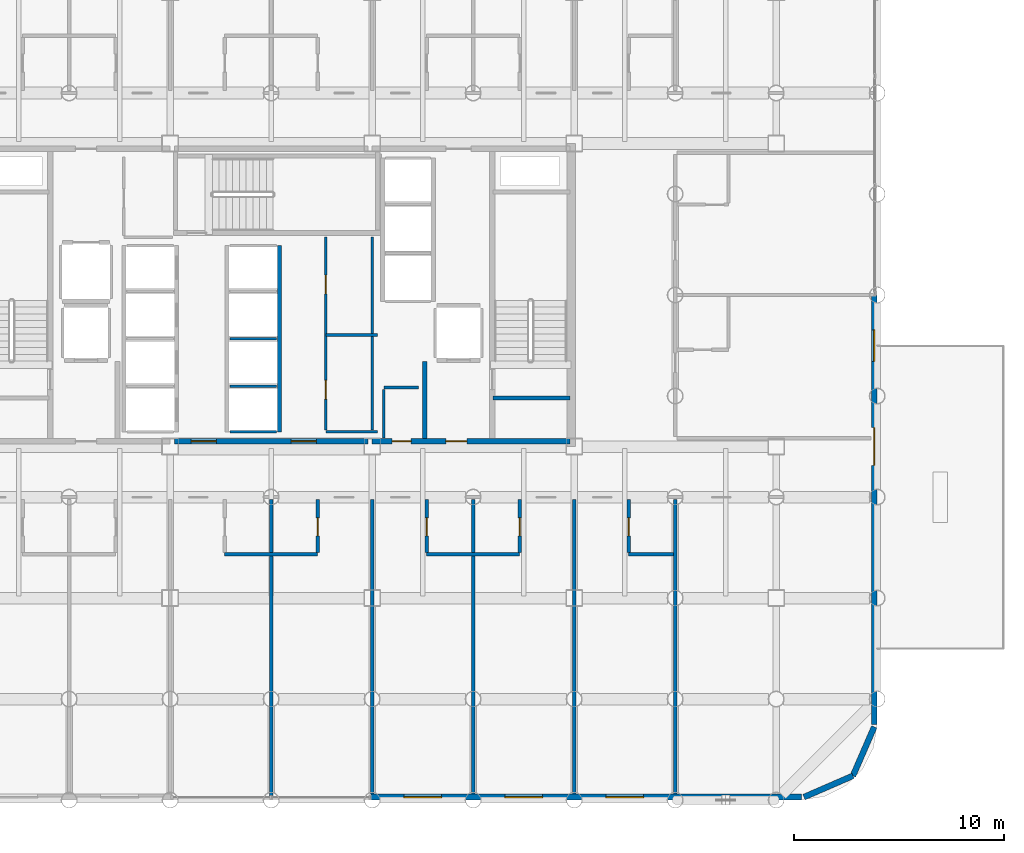
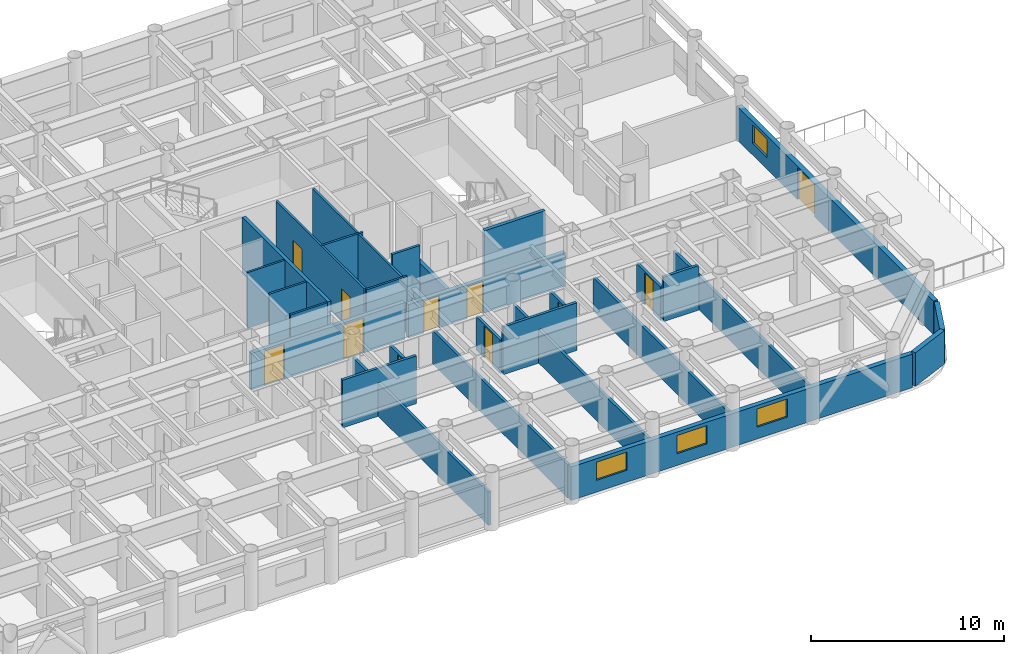
# One storey, part 19 of 24: 30 walls, 11 doors, 4 windows, 15 openings.
"""IFC4 building model written with IfcOpenShell, lengths in metres."""

from ifc_helpers import new_model, si_unit, direction, frame, frame_2d, origin, place, context, subcontext, project, spatial, rectangle, extrude, material, layer, layer_set, type_object, element, fill, save


model = new_model("IFC4")

# Units and contexts
model_context = context("Model", 3, precision=1e-05, world=origin(), true_north=direction((0.0, 1.0)))
body_context = subcontext(model_context, "Body", "Model", "MODEL_VIEW")
ifc_project = project(units=[si_unit("LENGTHUNIT", "METRE"), si_unit("AREAUNIT", "SQUARE_METRE"), si_unit("VOLUMEUNIT", "CUBIC_METRE"), si_unit("PLANEANGLEUNIT", "RADIAN"), si_unit("MASSUNIT", "GRAM", prefix="KILO")], contexts=[model_context])

# Site, building, storey
site_placement = place(None, origin())
site = spatial("IfcSite", under=ifc_project, at=site_placement, CompositionType="ELEMENT")
building_placement = place(site_placement, origin())
building = spatial("IfcBuilding", under=site, at=building_placement, Name="Kallvorn Hotel Tower", CompositionType="ELEMENT")
storey_placement = place(building_placement, frame((0.0, 0.0, 30.0)))
storey = spatial("IfcBuildingStorey", under=building, at=storey_placement, Name="L05", CompositionType="ELEMENT", Elevation=30.0)

# Walls
ifc_material_1 = material(Name="Fire-rated double-layer acoustic gypsum drywall EI 60")
ifc_layer_1 = layer(ifc_material_1, 0.159912109375)
ifc_layer_set_1 = layer_set([ifc_layer_1], Name="WL_DEMISE_160")
wall_type_1 = type_object("IfcWallType", Name="WL_DEMISE_160", PredefinedType="PARTITIONING", material=ifc_layer_set_1)
wall_1_placement = place(storey_placement, frame((-2.2099609375, -12.320068359375, 0.0), z_axis=(0.0, 0.0, 1.0), x_axis=(1.0, 0.0, 0.0)))
element("IfcWall", 1, at=wall_1_placement, inside=storey, type_object=wall_type_1, Name="L05 Suite 509 Superior Twin Room Partition", PredefinedType="PARTITIONING", context=body_context, shape_type="SweptSolid", body=[
    extrude(rectangle(XDim=4.419921875, YDim=0.159912109375, at=frame_2d((2.2099609375, 0.0))), origin(), (0.0, 0.0, 1.0), 3.02001953125),
])
wall_2_placement = place(storey_placement, frame((7.389892578125, -12.320068359375, 0.0), z_axis=(0.0, 0.0, 1.0), x_axis=(1.0, 0.0, 0.0)))
element("IfcWall", 2, at=wall_2_placement, inside=storey, type_object=wall_type_1, Name="L05 Suite 511 Superior Twin Room Partition", PredefinedType="PARTITIONING", context=body_context, shape_type="SweptSolid", body=[
    extrude(rectangle(XDim=4.420166015625, YDim=0.159912109375, at=frame_2d((2.2099609375, 0.0))), origin(), (0.0, 0.0, 1.0), 3.02001953125),
])
wall_3_placement = place(storey_placement, frame((16.989990234375, -12.320068359375, 0.0), z_axis=(0.0, 0.0, 1.0), x_axis=(1.0, 0.0, 0.0)))
element("IfcWall", 3, at=wall_3_placement, inside=storey, type_object=wall_type_1, Name="L05 Suite 513 Superior Twin Room Partition", PredefinedType="PARTITIONING", context=body_context, shape_type="SweptSolid", body=[
    extrude(rectangle(XDim=2.130126953125, YDim=0.159912109375, at=frame_2d((1.06494140625, 0.0))), origin(), (0.0, 0.0, 1.0), 2.820068359375),
])
wall_4_placement = place(storey_placement, frame((0.0, -23.794921875, 0.0), z_axis=(0.0, 0.0, 1.0), x_axis=(0.0, 1.0, 0.0)))
element("IfcWall", 4, at=wall_4_placement, inside=storey, type_object=wall_type_1, Name="L05 Suite 509 Superior Twin Room Partition", PredefinedType="PARTITIONING", context=body_context, shape_type="SweptSolid", body=[
    extrude(rectangle(XDim=14.074951171875, YDim=0.159912109375, at=frame_2d((7.03759765625, 0.0))), origin(), (0.0, 0.0, 1.0), 2.1201171875),
])

# Wall, opening, door
wall_5_placement = place(storey_placement, frame((2.2099609375, -12.235107421875, 0.0), z_axis=(0.0, 0.0, 1.0), x_axis=(0.0, 1.0, 0.0)))
wall_5 = element("IfcWall", 5, at=wall_5_placement, inside=storey, type_object=wall_type_1, Name="L05 Suite 510 Superior Twin Room Partition", PredefinedType="PARTITIONING", context=body_context, shape_type="SweptSolid", body=[
    extrude(rectangle(XDim=2.51513671875, YDim=0.159912109375, at=frame_2d((1.257568359375, 0.0))), origin(), (0.0, 0.0, 1.0), 2.1201171875),
])
opening_1_placement = place(wall_5_placement, frame((0.784912109375, 0.0, 0.0)))
opening_1 = element("IfcOpeningElement", 6, at=opening_1_placement, cuts=wall_5, Name="Opening BD-IA", PredefinedType="OPENING", context=body_context, shape_type="SweptSolid", body=[
    extrude(rectangle(XDim=0.860107421875, YDim=2.02001953125, at=frame_2d((0.43017578125, 1.010009765625))), frame((0.0, 0.094970703125, 0.0), z_axis=(0.0, -1.0, 0.0), x_axis=(1.0, 0.0, 0.0)), (0.0, 0.0, 1.0), 0.18994140625),
])
ifc_material_2 = material(Name="Solid-core walnut veneer fire-rated timber door leaf", Category="wood")
door_type_1 = type_object("IfcDoorType", Name="DR_BATH_860x2020", OperationType="NOTDEFINED", PredefinedType="DOOR", material=ifc_material_2)
door_1_placement = place(opening_1_placement, origin())
door_1 = element("IfcDoor", 7, at=door_1_placement, inside=storey, type_object=door_type_1, Name="L05 Suite 510 En-Suite Bathroom Door", OperationType="SINGLE_SWING_LEFT", OverallHeight=2.02001953125, OverallWidth=0.860107421875, PredefinedType="DOOR", context=body_context, shape_type="SweptSolid", body=[
    extrude(rectangle(XDim=0.860107421875, YDim=2.02001953125, at=frame_2d((0.43017578125, 1.010009765625))), frame((0.0, 0.02490234375, 0.0), z_axis=(0.0, -1.0, 0.0), x_axis=(1.0, 0.0, 0.0)), (0.0, 0.0, 1.0), 0.050048828125),
])
fill(opening_1, door_1)

# Wall
wall_6_placement = place(storey_placement, frame((4.800048828125, -23.7099609375, 0.0), z_axis=(0.0, 0.0, 1.0), x_axis=(0.0, 1.0, 0.0)))
element("IfcWall", 8, at=wall_6_placement, inside=storey, type_object=wall_type_1, Name="L05 Suite 510 Superior Twin Room Partition", PredefinedType="PARTITIONING", context=body_context, shape_type="SweptSolid", body=[
    extrude(rectangle(XDim=13.989990234375, YDim=0.159912109375, at=frame_2d((6.9951171875, 0.0))), origin(), (0.0, 0.0, 1.0), 2.1201171875),
])

# Wall, opening, door
wall_7_placement = place(storey_placement, frame((7.389892578125, -12.235107421875, 0.0), z_axis=(0.0, 0.0, 1.0), x_axis=(0.0, 1.0, 0.0)))
wall_7 = element("IfcWall", 9, at=wall_7_placement, inside=storey, type_object=wall_type_1, Name="L05 Suite 511 Superior Twin Room Partition", PredefinedType="PARTITIONING", context=body_context, shape_type="SweptSolid", body=[
    extrude(rectangle(XDim=2.51513671875, YDim=0.159912109375, at=frame_2d((1.257568359375, 0.0))), origin(), (0.0, 0.0, 1.0), 2.1201171875),
])
opening_2_placement = place(wall_7_placement, frame((0.784912109375, 0.0, 0.0)))
opening_2 = element("IfcOpeningElement", 10, at=opening_2_placement, cuts=wall_7, Name="Opening BD-IA", PredefinedType="OPENING", context=body_context, shape_type="SweptSolid", body=[
    extrude(rectangle(XDim=0.860107421875, YDim=2.02001953125, at=frame_2d((0.43017578125, 1.010009765625))), frame((0.0, 0.094970703125, 0.0), z_axis=(0.0, -1.0, 0.0), x_axis=(1.0, 0.0, 0.0)), (0.0, 0.0, 1.0), 0.18994140625),
])
door_2_placement = place(opening_2_placement, origin())
door_2 = element("IfcDoor", 11, at=door_2_placement, inside=storey, type_object=door_type_1, Name="L05 Suite 511 En-Suite Bathroom Door", OperationType="SINGLE_SWING_LEFT", OverallHeight=2.02001953125, OverallWidth=0.860107421875, PredefinedType="DOOR", context=body_context, shape_type="SweptSolid", body=[
    extrude(rectangle(XDim=0.860107421875, YDim=2.02001953125, at=frame_2d((0.43017578125, 1.010009765625))), frame((0.0, 0.02490234375, 0.0), z_axis=(0.0, -1.0, 0.0), x_axis=(1.0, 0.0, 0.0)), (0.0, 0.0, 1.0), 0.050048828125),
])
fill(opening_2, door_2)

# Wall
wall_8_placement = place(storey_placement, frame((9.60009765625, -23.7099609375, 0.0), z_axis=(0.0, 0.0, 1.0), x_axis=(0.0, 1.0, 0.0)))
element("IfcWall", 12, at=wall_8_placement, inside=storey, type_object=wall_type_1, Name="L05 Suite 511 Superior Twin Room Partition", PredefinedType="PARTITIONING", context=body_context, shape_type="SweptSolid", body=[
    extrude(rectangle(XDim=13.989990234375, YDim=0.159912109375, at=frame_2d((6.9951171875, 0.0))), origin(), (0.0, 0.0, 1.0), 2.1201171875),
])

# Wall, opening, door
wall_9_placement = place(storey_placement, frame((11.81005859375, -12.235107421875, 0.0), z_axis=(0.0, 0.0, 1.0), x_axis=(0.0, 1.0, 0.0)))
wall_9 = element("IfcWall", 13, at=wall_9_placement, inside=storey, type_object=wall_type_1, Name="L05 Suite 512 Superior Twin Room Partition", PredefinedType="PARTITIONING", context=body_context, shape_type="SweptSolid", body=[
    extrude(rectangle(XDim=2.51513671875, YDim=0.159912109375, at=frame_2d((1.257568359375, 0.0))), origin(), (0.0, 0.0, 1.0), 2.1201171875),
])
opening_3_placement = place(wall_9_placement, frame((0.784912109375, 0.0, 0.0)))
opening_3 = element("IfcOpeningElement", 14, at=opening_3_placement, cuts=wall_9, Name="Opening BD-IA", PredefinedType="OPENING", context=body_context, shape_type="SweptSolid", body=[
    extrude(rectangle(XDim=0.860107421875, YDim=2.02001953125, at=frame_2d((0.43017578125, 1.010009765625))), frame((0.0, 0.094970703125, 0.0), z_axis=(0.0, -1.0, 0.0), x_axis=(1.0, 0.0, 0.0)), (0.0, 0.0, 1.0), 0.18994140625),
])
door_3_placement = place(opening_3_placement, origin())
door_3 = element("IfcDoor", 15, at=door_3_placement, inside=storey, type_object=door_type_1, Name="L05 Suite 512 En-Suite Bathroom Door", OperationType="SINGLE_SWING_LEFT", OverallHeight=2.02001953125, OverallWidth=0.860107421875, PredefinedType="DOOR", context=body_context, shape_type="SweptSolid", body=[
    extrude(rectangle(XDim=0.860107421875, YDim=2.02001953125, at=frame_2d((0.43017578125, 1.010009765625))), frame((0.0, 0.02490234375, 0.0), z_axis=(0.0, -1.0, 0.0), x_axis=(1.0, 0.0, 0.0)), (0.0, 0.0, 1.0), 0.050048828125),
])
fill(opening_3, door_3)

# Wall
wall_10_placement = place(storey_placement, frame((14.39990234375, -23.7099609375, 0.0), z_axis=(0.0, 0.0, 1.0), x_axis=(0.0, 1.0, 0.0)))
element("IfcWall", 16, at=wall_10_placement, inside=storey, type_object=wall_type_1, Name="L05 Suite 512 Superior Twin Room Partition", PredefinedType="PARTITIONING", context=body_context, shape_type="SweptSolid", body=[
    extrude(rectangle(XDim=13.989990234375, YDim=0.159912109375, at=frame_2d((6.9951171875, 0.0))), origin(), (0.0, 0.0, 1.0), 2.1201171875),
])

# Wall, opening, door
wall_11_placement = place(storey_placement, frame((16.989990234375, -12.235107421875, 0.0), z_axis=(0.0, 0.0, 1.0), x_axis=(0.0, 1.0, 0.0)))
wall_11 = element("IfcWall", 17, at=wall_11_placement, inside=storey, type_object=wall_type_1, Name="L05 Suite 513 Superior Twin Room Partition", PredefinedType="PARTITIONING", context=body_context, shape_type="SweptSolid", body=[
    extrude(rectangle(XDim=2.51513671875, YDim=0.159912109375, at=frame_2d((1.257568359375, 0.0))), origin(), (0.0, 0.0, 1.0), 2.1201171875),
])
opening_4_placement = place(wall_11_placement, frame((0.784912109375, 0.0, 0.0)))
opening_4 = element("IfcOpeningElement", 18, at=opening_4_placement, cuts=wall_11, Name="Opening BD-IA", PredefinedType="OPENING", context=body_context, shape_type="SweptSolid", body=[
    extrude(rectangle(XDim=0.860107421875, YDim=2.02001953125, at=frame_2d((0.43017578125, 1.010009765625))), frame((0.0, 0.094970703125, 0.0), z_axis=(0.0, -1.0, 0.0), x_axis=(1.0, 0.0, 0.0)), (0.0, 0.0, 1.0), 0.18994140625),
])
door_4_placement = place(opening_4_placement, origin())
door_4 = element("IfcDoor", 19, at=door_4_placement, inside=storey, type_object=door_type_1, Name="L05 Suite 513 En-Suite Bathroom Door", OperationType="SINGLE_SWING_RIGHT", OverallHeight=2.02001953125, OverallWidth=0.860107421875, PredefinedType="DOOR", context=body_context, shape_type="SweptSolid", body=[
    extrude(rectangle(XDim=0.860107421875, YDim=2.02001953125, at=frame_2d((0.43017578125, 1.010009765625))), frame((0.0, 0.02490234375, 0.0), z_axis=(0.0, -1.0, 0.0), x_axis=(1.0, 0.0, 0.0)), (0.0, 0.0, 1.0), 0.050048828125),
])
fill(opening_4, door_4)

# Walls
wall_12_placement = place(storey_placement, frame((19.199951171875, -23.7099609375, 0.0), z_axis=(0.0, 0.0, 1.0), x_axis=(0.0, 1.0, 0.0)))
element("IfcWall", 20, at=wall_12_placement, inside=storey, type_object=wall_type_1, Name="L05 Suite 513 Superior Twin Room Partition", PredefinedType="PARTITIONING", context=body_context, shape_type="SweptSolid", body=[
    extrude(rectangle(XDim=13.989990234375, YDim=0.159912109375, at=frame_2d((6.9951171875, 0.0))), origin(), (0.0, 0.0, 1.0), 2.1201171875),
])
ifc_material_3 = material(Name="Precast basalt-clad insulated concrete wall C40/50", Category="masonry")
ifc_layer_2 = layer(ifc_material_3, 0.280029296875)
ifc_layer_set_2 = layer_set([ifc_layer_2], Name="WL_EXT_LOGGIA_280")
wall_type_2 = type_object("IfcWallType", Name="WL_EXT_LOGGIA_280", PredefinedType="SOLIDWALL", material=ifc_layer_set_2)
wall_13_placement = place(storey_placement, frame((25.32080078125, -23.85791015625, 0.0), z_axis=(0.0, 0.0, 1.0), x_axis=(0.917060872934, 0.398747232384, 0.0)))
element("IfcWall", 21, at=wall_13_placement, inside=storey, type_object=wall_type_2, Name="L05 Rounded Corner Exterior Wall SE1", PredefinedType="SOLIDWALL", context=body_context, shape_type="SweptSolid", body=[
    extrude(rectangle(XDim=2.5361328125, YDim=0.280029296875, at=frame_2d((1.26806640625, 0.0))), origin(), (0.0, 0.0, 1.0), 2.1201171875),
])
wall_14_placement = place(storey_placement, frame((27.646484375, -22.8466796875, 0.0), z_axis=(0.0, 0.0, 1.0), x_axis=(0.398792985289, 0.917040977756, 0.0)))
element("IfcWall", 22, at=wall_14_placement, inside=storey, type_object=wall_type_2, Name="L05 Rounded Corner Exterior Wall SE2", PredefinedType="SOLIDWALL", context=body_context, shape_type="SweptSolid", body=[
    extrude(rectangle(XDim=2.536376953125, YDim=0.280029296875, at=frame_2d((1.26806640625, 0.0))), origin(), (0.0, 0.0, 1.0), 2.1201171875),
])

# Wall, openings, windows
wall_15_placement = place(storey_placement, frame((4.75, -23.860107421875, 0.0), z_axis=(0.0, 0.0, 1.0), x_axis=(1.0, 0.0, 0.0)))
wall_15 = element("IfcWall", 23, at=wall_15_placement, inside=storey, type_object=wall_type_2, Name="L05 Exterior Envelope Wall EW-L05-SE", PredefinedType="SOLIDWALL", context=body_context, shape_type="SweptSolid", body=[
    extrude(rectangle(XDim=20.449951171875, YDim=0.280029296875, at=frame_2d((10.22509765625, 0.0))), origin(), (0.0, 0.0, 1.0), 2.1201171875),
])
opening_5_placement = place(wall_15_placement, frame((1.550048828125, 0.0, 0.75)))
opening_5 = element("IfcOpeningElement", 24, at=opening_5_placement, cuts=wall_15, Name="Opening W04A", PredefinedType="OPENING", context=body_context, shape_type="SweptSolid", body=[
    extrude(rectangle(XDim=1.800048828125, YDim=1.14990234375, at=frame_2d((0.89990234375, 0.574951171875))), frame((0.0, 0.155029296875, 0.0), z_axis=(0.0, -1.0, 0.0), x_axis=(1.0, 0.0, 0.0)), (0.0, 0.0, 1.0), 0.31005859375),
])
opening_6_placement = place(wall_15_placement, frame((6.35009765625, 0.0, 0.75)))
opening_6 = element("IfcOpeningElement", 25, at=opening_6_placement, cuts=wall_15, Name="Opening W04A", PredefinedType="OPENING", context=body_context, shape_type="SweptSolid", body=[
    extrude(rectangle(XDim=1.800048828125, YDim=1.14990234375, at=frame_2d((0.89990234375, 0.574951171875))), frame((0.0, 0.155029296875, 0.0), z_axis=(0.0, -1.0, 0.0), x_axis=(1.0, 0.0, 0.0)), (0.0, 0.0, 1.0), 0.31005859375),
])
opening_7_placement = place(wall_15_placement, frame((11.14990234375, 0.0, 0.75)))
opening_7 = element("IfcOpeningElement", 26, at=opening_7_placement, cuts=wall_15, Name="Opening W04A", PredefinedType="OPENING", context=body_context, shape_type="SweptSolid", body=[
    extrude(rectangle(XDim=1.800048828125, YDim=1.14990234375, at=frame_2d((0.89990234375, 0.574951171875))), frame((0.0, 0.155029296875, 0.0), z_axis=(0.0, -1.0, 0.0), x_axis=(1.0, 0.0, 0.0)), (0.0, 0.0, 1.0), 0.31005859375),
])
ifc_material_4 = material(Name="Double-glazed low-e solar-control dark glass", Category="glass")
window_type_1 = type_object("IfcWindowType", Name="WN_HTL_1800x1150", PartitioningType="SINGLE_PANEL", PredefinedType="WINDOW", material=ifc_material_4)
window_1_placement = place(opening_5_placement, origin())
window_1 = element("IfcWindow", 27, at=window_1_placement, inside=storey, type_object=window_type_1, Name="L05 Guestroom Exterior Window 07", OverallHeight=1.14990234375, OverallWidth=1.800048828125, PartitioningType="SINGLE_PANEL", PredefinedType="WINDOW", context=body_context, shape_type="SweptSolid", body=[
    extrude(rectangle(XDim=1.800048828125, YDim=1.14990234375, at=frame_2d((0.89990234375, 0.574951171875))), frame((0.0, 0.030029296875, 0.0), z_axis=(0.0, -1.0, 0.0), x_axis=(1.0, 0.0, 0.0)), (0.0, 0.0, 1.0), 0.06005859375),
])
fill(opening_5, window_1)
window_2_placement = place(opening_6_placement, origin())
window_2 = element("IfcWindow", 28, at=window_2_placement, inside=storey, type_object=window_type_1, Name="L05 Guestroom Exterior Window 08", OverallHeight=1.14990234375, OverallWidth=1.800048828125, PartitioningType="SINGLE_PANEL", PredefinedType="WINDOW", context=body_context, shape_type="SweptSolid", body=[
    extrude(rectangle(XDim=1.800048828125, YDim=1.14990234375, at=frame_2d((0.89990234375, 0.574951171875))), frame((0.0, 0.030029296875, 0.0), z_axis=(0.0, -1.0, 0.0), x_axis=(1.0, 0.0, 0.0)), (0.0, 0.0, 1.0), 0.06005859375),
])
fill(opening_6, window_2)
window_3_placement = place(opening_7_placement, origin())
window_3 = element("IfcWindow", 29, at=window_3_placement, inside=storey, type_object=window_type_1, Name="L05 Guestroom Exterior Window 09", OverallHeight=1.14990234375, OverallWidth=1.800048828125, PartitioningType="SINGLE_PANEL", PredefinedType="WINDOW", context=body_context, shape_type="SweptSolid", body=[
    extrude(rectangle(XDim=1.800048828125, YDim=1.14990234375, at=frame_2d((0.89990234375, 0.574951171875))), frame((0.0, 0.030029296875, 0.0), z_axis=(0.0, -1.0, 0.0), x_axis=(1.0, 0.0, 0.0)), (0.0, 0.0, 1.0), 0.06005859375),
])
fill(opening_7, window_3)

# Wall, openings, door, window
wall_16_placement = place(storey_placement, frame((28.659912109375, -20.39990234375, 0.0), z_axis=(0.0, 0.0, 1.0), x_axis=(0.0, 1.0, 0.0)))
wall_16 = element("IfcWall", 30, at=wall_16_placement, inside=storey, type_object=wall_type_2, Name="L05 Exterior Envelope Wall EW-L05-ES", PredefinedType="SOLIDWALL", context=body_context, shape_type="SweptSolid", body=[
    extrude(rectangle(XDim=20.3798828125, YDim=0.280029296875, at=frame_2d((10.18994140625, 0.0))), origin(), (0.0, 0.0, 1.0), 2.1201171875),
])
opening_8_placement = place(wall_16_placement, frame((12.300048828125, 0.0, 0.0)))
opening_8 = element("IfcOpeningElement", 31, at=opening_8_placement, cuts=wall_16, Name="Opening TD2A", PredefinedType="OPENING", context=body_context, shape_type="SweptSolid", body=[
    extrude(rectangle(XDim=1.800048828125, YDim=2.02001953125, at=frame_2d((0.89990234375, 1.010009765625))), frame((0.0, 0.155029296875, 0.0), z_axis=(0.0, -1.0, 0.0), x_axis=(1.0, 0.0, 0.0)), (0.0, 0.0, 1.0), 0.31005859375),
])
opening_9_placement = place(wall_16_placement, frame((17.25, 0.0, 0.75)))
opening_9 = element("IfcOpeningElement", 32, at=opening_9_placement, cuts=wall_16, Name="Opening W05A", PredefinedType="OPENING", context=body_context, shape_type="SweptSolid", body=[
    extrude(rectangle(XDim=1.5, YDim=1.14990234375, at=frame_2d((0.75, 0.574951171875))), frame((0.0, 0.155029296875, 0.0), z_axis=(0.0, -1.0, 0.0), x_axis=(1.0, 0.0, 0.0)), (0.0, 0.0, 1.0), 0.31005859375),
])
ifc_material_5 = material(Name="Double-glazed low-e solar-control dark glass", Category="glass")
door_type_2 = type_object("IfcDoorType", Name="DR_TERR_TOW_1800x2020", OperationType="DOUBLE_DOOR_SINGLE_SWING", PredefinedType="DOOR", material=ifc_material_5)
door_5_placement = place(opening_8_placement, origin())
door_5 = element("IfcDoor", 33, at=door_5_placement, inside=storey, type_object=door_type_2, Name="L05 Step-Off Terrace Glazed Door 1", OperationType="DOUBLE_DOOR_SINGLE_SWING", OverallHeight=2.02001953125, OverallWidth=1.800048828125, PredefinedType="DOOR", context=body_context, shape_type="SweptSolid", body=[
    extrude(rectangle(XDim=1.800048828125, YDim=2.02001953125, at=frame_2d((0.89990234375, 1.010009765625))), frame((0.0, 0.02490234375, 0.0), z_axis=(0.0, -1.0, 0.0), x_axis=(1.0, 0.0, 0.0)), (0.0, 0.0, 1.0), 0.050048828125),
])
fill(opening_8, door_5)
ifc_material_6 = material(Name="Double-glazed low-e solar-control dark glass", Category="glass")
window_type_2 = type_object("IfcWindowType", Name="WN_HTL_1500x1150", PartitioningType="SINGLE_PANEL", PredefinedType="WINDOW", material=ifc_material_6)
window_4_placement = place(opening_9_placement, origin())
window_4 = element("IfcWindow", 34, at=window_4_placement, inside=storey, type_object=window_type_2, Name="L05 Flank Wing Window 02", OverallHeight=1.14990234375, OverallWidth=1.5, PartitioningType="SINGLE_PANEL", PredefinedType="WINDOW", context=body_context, shape_type="SweptSolid", body=[
    extrude(rectangle(XDim=1.5, YDim=1.14990234375, at=frame_2d((0.75, 0.574951171875))), frame((0.0, 0.030029296875, 0.0), z_axis=(0.0, -1.0, 0.0), x_axis=(1.0, 0.0, 0.0)), (0.0, 0.0, 1.0), 0.06005859375),
])
fill(opening_9, window_4)

# Walls
ifc_material_7 = material(Name="Concrete C40/50", Category="concrete")
ifc_layer_3 = layer(ifc_material_7, 0.219970703125)
ifc_layer_set_3 = layer_set([ifc_layer_3], Name="WL_FFL_220")
wall_type_3 = type_object("IfcWallType", Name="WL_FFL_220", PredefinedType="SOLIDWALL", material=ifc_layer_set_3)
wall_17_placement = place(storey_placement, frame((7.300048828125, -6.820068359375, 0.0), z_axis=(0.0, 0.0, 1.0), x_axis=(0.0, 1.0, 0.0)))
element("IfcWall", 35, at=wall_17_placement, inside=storey, type_object=wall_type_3, Name="L05 Firefighting Lobby East Divider Wall", PredefinedType="SOLIDWALL", context=body_context, shape_type="SweptSolid", body=[
    extrude(rectangle(XDim=3.670166015625, YDim=0.219970703125, at=frame_2d((1.8349609375, 0.0))), origin(), (0.0, 0.0, 1.0), 2.1201171875),
])
ifc_material_8 = material(Name="Concrete C40/50", Category="concrete")
ifc_layer_4 = layer(ifc_material_8, 0.199951171875)
ifc_layer_set_4 = layer_set([ifc_layer_4], Name="WL_HOIST_200")
wall_type_4 = type_object("IfcWallType", Name="WL_HOIST_200", PredefinedType="SOLIDWALL", material=ifc_layer_set_4)
wall_18_placement = place(storey_placement, frame((10.550048828125, -4.89990234375, -0.179931640625), z_axis=(0.0, 0.0, 1.0), x_axis=(1.0, 0.0, 0.0)))
element("IfcWall", 36, at=wall_18_placement, inside=storey, type_object=wall_type_4, Name="L05 Stair ST2 South Wall", PredefinedType="SOLIDWALL", context=body_context, shape_type="SweptSolid", body=[
    extrude(rectangle(XDim=3.64990234375, YDim=0.199951171875, at=frame_2d((1.824951171875, 0.0))), origin(), (0.0, 0.0, 1.0), 3.699951171875),
])
wall_19_placement = place(storey_placement, frame((0.39990234375, -6.5, 0.0), z_axis=(0.0, 0.0, 1.0), x_axis=(0.0, 1.0, 0.0)))
element("IfcWall", 37, at=wall_19_placement, inside=storey, type_object=wall_type_4, Name="L05 Lift Bank B2 Rear Shaft Wall", PredefinedType="SOLIDWALL", context=body_context, shape_type="SweptSolid", body=[
    extrude(rectangle(XDim=8.85009765625, YDim=0.199951171875, at=frame_2d((4.425048828125, 0.0))), origin(), (0.0, 0.0, 1.0), 3.52001953125),
])
ifc_material_9 = material(Name="Fire-rated double-layer acoustic gypsum drywall EI 60")
ifc_layer_5 = layer(ifc_material_9, 0.1201171875)
ifc_layer_set_5 = layer_set([ifc_layer_5], Name="WL_INT_120")
wall_type_5 = type_object("IfcWallType", Name="WL_INT_120", PredefinedType="PARTITIONING", material=ifc_layer_set_5)
for number, where, z_axis, x_axis, name in (
    (38, (-1.9599609375, -6.5, 0.0), (0.0, 0.0, 1.0), (1.0, 0.0, 0.0), "L05 Lift Bank B2 South Closure Wall"),
    (39, (-1.9599609375, -4.324951171875, 0.0), (0.0, 0.0, 1.0), (1.0, 0.0, 0.0), "L05 PL-05 Hoistway Divider"),
    (40, (-1.9599609375, -2.074951171875, 0.0), (0.0, 0.0, 1.0), (1.0, 0.0, 0.0), "L05 PL-06 Hoistway Divider"),
):
    element("IfcWall", number, at=place(storey_placement, frame(where, z_axis=z_axis, x_axis=x_axis)), inside=storey, type_object=wall_type_5, Name=name, PredefinedType="PARTITIONING", context=body_context, shape_type="SweptSolid", body=[
        extrude(rectangle(XDim=2.219970703125, YDim=0.1201171875, at=frame_2d((1.10986328125, 0.0))), origin(), (0.0, 0.0, 1.0), 3.52001953125),
    ])
for number, where, z_axis, x_axis, name in (
    (41, (2.60009765625, -6.5, 0.0), (0.0, 0.0, 1.0), (1.0, 0.0, 0.0), "L05 East Core Amenities and Minibar Store Partition"),
    (42, (2.60009765625, -1.89990234375, 0.0), (0.0, 0.0, 1.0), (1.0, 0.0, 0.0), "L05 East Core Amenities and Minibar Store Partition"),
):
    element("IfcWall", number, at=place(storey_placement, frame(where, z_axis=z_axis, x_axis=x_axis)), inside=storey, type_object=wall_type_5, Name=name, PredefinedType="PARTITIONING", context=body_context, shape_type="SweptSolid", body=[
        extrude(rectangle(XDim=2.449951171875, YDim=0.1201171875, at=frame_2d((1.22509765625, 0.0))), origin(), (0.0, 0.0, 1.0), 3.52001953125),
    ])

# Wall, openings, doors
wall_20_placement = place(storey_placement, frame((2.60009765625, -6.4150390625, 0.0), z_axis=(0.0, 0.0, 1.0), x_axis=(0.0, 1.0, 0.0)))
wall_20 = element("IfcWall", 43, at=wall_20_placement, inside=storey, type_object=wall_type_5, Name="L05 East Core Amenities and Minibar Store Partition", PredefinedType="PARTITIONING", context=body_context, shape_type="SweptSolid", body=[
    extrude(rectangle(XDim=9.1650390625, YDim=0.1201171875, at=frame_2d((4.58251953125, 0.0))), origin(), (0.0, 0.0, 1.0), 3.52001953125),
])
opening_10_placement = place(wall_20_placement, frame((1.465087890625, 0.0, 0.0)))
opening_10 = element("IfcOpeningElement", 44, at=opening_10_placement, cuts=wall_20, Name="Opening SVD1", PredefinedType="OPENING", context=body_context, shape_type="SweptSolid", body=[
    extrude(rectangle(XDim=0.89990234375, YDim=2.10009765625, at=frame_2d((0.449951171875, 1.050048828125))), frame((0.0, 0.074951171875, 0.0), z_axis=(0.0, -1.0, 0.0), x_axis=(1.0, 0.0, 0.0)), (0.0, 0.0, 1.0), 0.150146484375),
])
opening_11_placement = place(wall_20_placement, frame((6.465087890625, 0.0, 0.0)))
opening_11 = element("IfcOpeningElement", 45, at=opening_11_placement, cuts=wall_20, Name="Opening SVD1", PredefinedType="OPENING", context=body_context, shape_type="SweptSolid", body=[
    extrude(rectangle(XDim=0.89990234375, YDim=2.10009765625, at=frame_2d((0.449951171875, 1.050048828125))), frame((0.0, 0.074951171875, 0.0), z_axis=(0.0, -1.0, 0.0), x_axis=(1.0, 0.0, 0.0)), (0.0, 0.0, 1.0), 0.150146484375),
])
ifc_material_10 = material(Name="Galvanised painted steel fire-rated door assembly", Category="steel")
door_type_3 = type_object("IfcDoorType", Name="DR_SERV_900x2100", OperationType="NOTDEFINED", PredefinedType="DOOR", material=ifc_material_10)
door_6_placement = place(opening_10_placement, origin())
door_6 = element("IfcDoor", 46, at=door_6_placement, inside=storey, type_object=door_type_3, Name="L05 East Core Amenities and Minibar Store Door", OperationType="SINGLE_SWING_RIGHT", OverallHeight=2.10009765625, OverallWidth=0.89990234375, PredefinedType="DOOR", context=body_context, shape_type="SweptSolid", body=[
    extrude(rectangle(XDim=0.89990234375, YDim=2.10009765625, at=frame_2d((0.449951171875, 1.050048828125))), frame((0.0, 0.02490234375, 0.0), z_axis=(0.0, -1.0, 0.0), x_axis=(1.0, 0.0, 0.0)), (0.0, 0.0, 1.0), 0.050048828125),
])
fill(opening_10, door_6)
door_7_placement = place(opening_11_placement, origin())
door_7 = element("IfcDoor", 47, at=door_7_placement, inside=storey, type_object=door_type_3, Name="L05 East Core Cleaners and Janitor Room Door", OperationType="SINGLE_SWING_LEFT", OverallHeight=2.10009765625, OverallWidth=0.89990234375, PredefinedType="DOOR", context=body_context, shape_type="SweptSolid", body=[
    extrude(rectangle(XDim=0.89990234375, YDim=2.10009765625, at=frame_2d((0.449951171875, 1.050048828125))), frame((0.0, 0.02490234375, 0.0), z_axis=(0.0, -1.0, 0.0), x_axis=(1.0, 0.0, 0.0)), (0.0, 0.0, 1.0), 0.050048828125),
])
fill(opening_11, door_7)

# Walls
wall_21_placement = place(storey_placement, frame((4.800048828125, -6.4150390625, 0.0), z_axis=(0.0, 0.0, 1.0), x_axis=(0.0, 1.0, 0.0)))
element("IfcWall", 48, at=wall_21_placement, inside=storey, type_object=wall_type_5, Name="L05 East Core Amenities and Minibar Store Partition", PredefinedType="PARTITIONING", context=body_context, shape_type="SweptSolid", body=[
    extrude(rectangle(XDim=9.1650390625, YDim=0.1201171875, at=frame_2d((4.58251953125, 0.0))), origin(), (0.0, 0.0, 1.0), 3.52001953125),
])
ifc_material_11 = material(Name="Moisture-resistant acoustic plumbing chase wall EI 60")
ifc_layer_6 = layer(ifc_material_11, 0.139892578125)
ifc_layer_set_6 = layer_set([ifc_layer_6], Name="WL_PLUMB_140")
wall_type_6 = type_object("IfcWallType", Name="WL_PLUMB_140", PredefinedType="PLUMBINGWALL", material=ifc_layer_set_6)
wall_22_placement = place(storey_placement, frame((5.35009765625, -4.39990234375, 0.0), z_axis=(0.0, 0.0, 1.0), x_axis=(1.0, 0.0, 0.0)))
element("IfcWall", 49, at=wall_22_placement, inside=storey, type_object=wall_type_6, Name="L05 Core Staff Restroom WC Partition", PredefinedType="PLUMBINGWALL", context=body_context, shape_type="SweptSolid", body=[
    extrude(rectangle(XDim=1.64990234375, YDim=0.139892578125, at=frame_2d((0.824951171875, 0.0))), origin(), (0.0, 0.0, 1.0), 3.52001953125),
])
wall_23_placement = place(storey_placement, frame((5.35009765625, -6.800048828125, 0.0), z_axis=(0.0, 0.0, 1.0), x_axis=(0.0, 1.0, 0.0)))
element("IfcWall", 50, at=wall_23_placement, inside=storey, type_object=wall_type_6, Name="L05 Core Staff Restroom WC Partition", PredefinedType="PLUMBINGWALL", context=body_context, shape_type="SweptSolid", body=[
    extrude(rectangle(XDim=2.31494140625, YDim=0.139892578125, at=frame_2d((1.157470703125, 0.0))), origin(), (0.0, 0.0, 1.0), 2.1201171875),
])

# Wall, openings, doors
ifc_material_12 = material(Name="Concrete C40/50", Category="concrete")
ifc_layer_7 = layer(ifc_material_12, 0.25)
ifc_layer_set_7 = layer_set([ifc_layer_7], Name="WL_SHAFT_250")
wall_type_7 = type_object("IfcWallType", Name="WL_SHAFT_250", PredefinedType="SOLIDWALL", material=ifc_layer_set_7)
wall_24_placement = place(storey_placement, frame((-4.60009765625, -6.949951171875, 0.0), z_axis=(0.0, 0.0, 1.0), x_axis=(1.0, 0.0, 0.0)))
wall_24 = element("IfcWall", 51, at=wall_24_placement, inside=storey, type_object=wall_type_7, Name="L05 Core South-Central Wall", PredefinedType="SOLIDWALL", context=body_context, shape_type="SweptSolid", body=[
    extrude(rectangle(XDim=9.2001953125, YDim=0.25, at=frame_2d((4.60009765625, 0.0))), origin(), (0.0, 0.0, 1.0), 2.320068359375),
])
opening_12_placement = place(wall_24_placement, frame((0.800048828125, 0.0, 0.0)))
opening_12 = element("IfcOpeningElement", 52, at=opening_12_placement, cuts=wall_24, Name="Opening FD2", PredefinedType="OPENING", context=body_context, shape_type="SweptSolid", body=[
    extrude(rectangle(XDim=1.199951171875, YDim=2.199951171875, at=frame_2d((0.60009765625, 1.10009765625))), frame((0.0, 0.139892578125, 0.0), z_axis=(0.0, -1.0, 0.0), x_axis=(1.0, 0.0, 0.0)), (0.0, 0.0, 1.0), 0.280029296875),
])
opening_13_placement = place(wall_24_placement, frame((5.550048828125, 0.0, 0.0)))
opening_13 = element("IfcOpeningElement", 53, at=opening_13_placement, cuts=wall_24, Name="Opening FD2", PredefinedType="OPENING", context=body_context, shape_type="SweptSolid", body=[
    extrude(rectangle(XDim=1.199951171875, YDim=2.199951171875, at=frame_2d((0.60009765625, 1.10009765625))), frame((0.0, 0.139892578125, 0.0), z_axis=(0.0, -1.0, 0.0), x_axis=(1.0, 0.0, 0.0)), (0.0, 0.0, 1.0), 0.280029296875),
])
ifc_material_13 = material(Name="Galvanised painted steel fire-rated door assembly", Category="steel")
door_type_4 = type_object("IfcDoorType", Name="DR_LOBBY_1200x2200", OperationType="DOUBLE_DOOR_SINGLE_SWING", PredefinedType="DOOR", material=ifc_material_13)
door_8_placement = place(opening_12_placement, origin())
door_8 = element("IfcDoor", 54, at=door_8_placement, inside=storey, type_object=door_type_4, Name="L05 West Passenger Lift Lobby Door", OperationType="DOUBLE_DOOR_SINGLE_SWING", OverallHeight=2.199951171875, OverallWidth=1.199951171875, PredefinedType="DOOR", context=body_context, shape_type="SweptSolid", body=[
    extrude(rectangle(XDim=1.199951171875, YDim=2.199951171875, at=frame_2d((0.60009765625, 1.10009765625))), frame((0.0, 0.02490234375, 0.0), z_axis=(0.0, -1.0, 0.0), x_axis=(1.0, 0.0, 0.0)), (0.0, 0.0, 1.0), 0.050048828125),
])
fill(opening_12, door_8)
door_9_placement = place(opening_13_placement, origin())
door_9 = element("IfcDoor", 55, at=door_9_placement, inside=storey, type_object=door_type_4, Name="L05 East Passenger Lift Lobby Door", OperationType="DOUBLE_DOOR_SINGLE_SWING", OverallHeight=2.199951171875, OverallWidth=1.199951171875, PredefinedType="DOOR", context=body_context, shape_type="SweptSolid", body=[
    extrude(rectangle(XDim=1.199951171875, YDim=2.199951171875, at=frame_2d((0.60009765625, 1.10009765625))), frame((0.0, 0.02490234375, 0.0), z_axis=(0.0, -1.0, 0.0), x_axis=(1.0, 0.0, 0.0)), (0.0, 0.0, 1.0), 0.050048828125),
])
fill(opening_13, door_9)

wall_25_placement = place(storey_placement, frame((4.800048828125, -6.949951171875, 0.0), z_axis=(0.0, 0.0, 1.0), x_axis=(1.0, 0.0, 0.0)))
wall_25 = element("IfcWall", 56, at=wall_25_placement, inside=storey, type_object=wall_type_7, Name="L05 Core South-East Wall", PredefinedType="SOLIDWALL", context=body_context, shape_type="SweptSolid", body=[
    extrude(rectangle(XDim=9.39990234375, YDim=0.25, at=frame_2d((4.699951171875, 0.0))), origin(), (0.0, 0.0, 1.0), 2.1201171875),
])
opening_14_placement = place(wall_25_placement, frame((3.5, 0.0, 0.0)))
opening_14 = element("IfcOpeningElement", 57, at=opening_14_placement, cuts=wall_25, Name="Opening FD1A", PredefinedType="OPENING", context=body_context, shape_type="SweptSolid", body=[
    extrude(rectangle(XDim=1.0, YDim=2.02001953125, at=frame_2d((0.5, 1.010009765625))), frame((0.0, 0.139892578125, 0.0), z_axis=(0.0, -1.0, 0.0), x_axis=(1.0, 0.0, 0.0)), (0.0, 0.0, 1.0), 0.280029296875),
])
opening_15_placement = place(wall_25_placement, frame((0.949951171875, 0.0, 0.0)))
opening_15 = element("IfcOpeningElement", 58, at=opening_15_placement, cuts=wall_25, Name="Opening SVD1A", PredefinedType="OPENING", context=body_context, shape_type="SweptSolid", body=[
    extrude(rectangle(XDim=0.89990234375, YDim=2.02001953125, at=frame_2d((0.449951171875, 1.010009765625))), frame((0.0, 0.139892578125, 0.0), z_axis=(0.0, -1.0, 0.0), x_axis=(1.0, 0.0, 0.0)), (0.0, 0.0, 1.0), 0.280029296875),
])
ifc_material_14 = material(Name="Galvanised painted steel fire-rated door assembly", Category="steel")
door_type_5 = type_object("IfcDoorType", Name="DR_FFL_1000x2020", OperationType="NOTDEFINED", PredefinedType="DOOR", material=ifc_material_14)
door_10_placement = place(opening_14_placement, origin())
door_10 = element("IfcDoor", 59, at=door_10_placement, inside=storey, type_object=door_type_5, Name="L05 Firefighting Lobby East Door", OperationType="SINGLE_SWING_LEFT", OverallHeight=2.02001953125, OverallWidth=1.0, PredefinedType="DOOR", context=body_context, shape_type="SweptSolid", body=[
    extrude(rectangle(XDim=1.0, YDim=2.02001953125, at=frame_2d((0.5, 1.010009765625))), frame((0.0, 0.02490234375, 0.0), z_axis=(0.0, -1.0, 0.0), x_axis=(1.0, 0.0, 0.0)), (0.0, 0.0, 1.0), 0.050048828125),
])
fill(opening_14, door_10)
ifc_material_15 = material(Name="Galvanised painted steel fire-rated door assembly", Category="steel")
door_type_6 = type_object("IfcDoorType", Name="DR_SERV_900x2020", OperationType="NOTDEFINED", PredefinedType="DOOR", material=ifc_material_15)
door_11_placement = place(opening_15_placement, origin())
door_11 = element("IfcDoor", 60, at=door_11_placement, inside=storey, type_object=door_type_6, Name="L05 Core Staff Restroom WC Door", OperationType="SINGLE_SWING_LEFT", OverallHeight=2.02001953125, OverallWidth=0.89990234375, PredefinedType="DOOR", context=body_context, shape_type="SweptSolid", body=[
    extrude(rectangle(XDim=0.89990234375, YDim=2.02001953125, at=frame_2d((0.449951171875, 1.010009765625))), frame((0.0, 0.02490234375, 0.0), z_axis=(0.0, -1.0, 0.0), x_axis=(1.0, 0.0, 0.0)), (0.0, 0.0, 1.0), 0.050048828125),
])
fill(opening_15, door_11)

save(model, "model.ifc")
